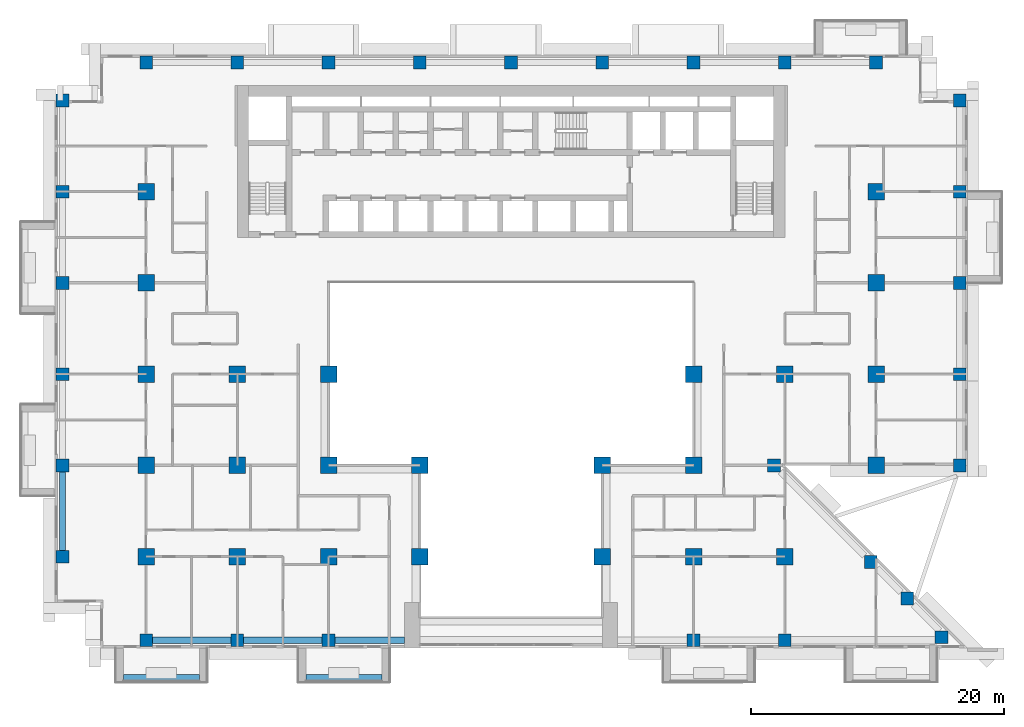
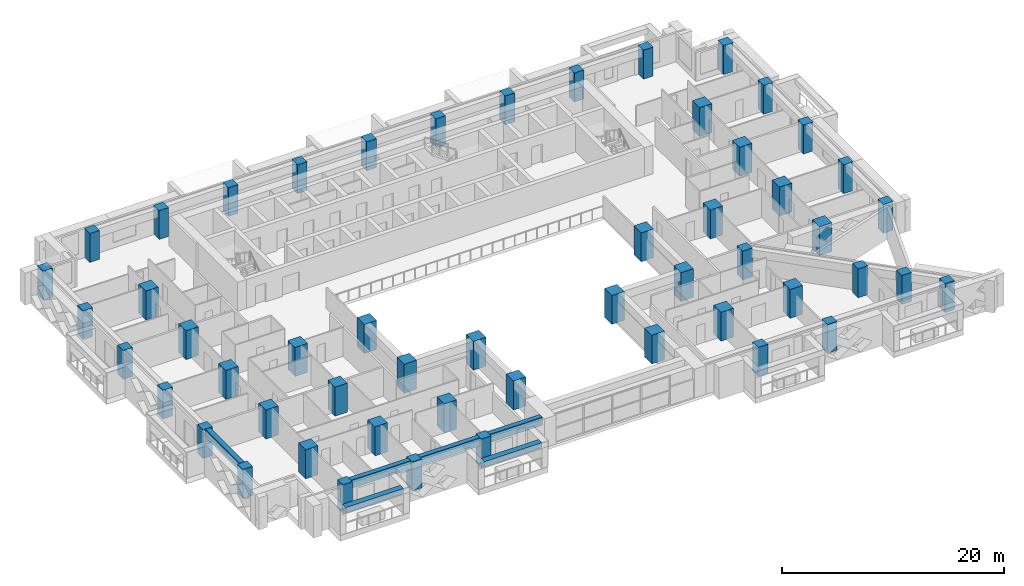
# One storey, part 1 of 17: 53 columns, 6 beams.
"""IFC4 building model written with IfcOpenShell, lengths in metres."""

from ifc_helpers import new_model, si_unit, direction, frame, origin, origin_2d, place, context, subcontext, project, spatial, rectangle, extrude, source, transform, mapped, material, material_profile, profile_set, type_object, element, save


model = new_model("IFC4")

# Units and contexts
model_context = context("Model", 3, precision=1e-05, world=origin(), true_north=direction((0.0, 1.0)))
body_context = subcontext(model_context, "Body", "Model", "MODEL_VIEW")
ifc_project = project(units=[si_unit("LENGTHUNIT", "METRE"), si_unit("AREAUNIT", "SQUARE_METRE"), si_unit("VOLUMEUNIT", "CUBIC_METRE"), si_unit("PLANEANGLEUNIT", "RADIAN"), si_unit("MASSUNIT", "GRAM", prefix="KILO")], contexts=[model_context])

# Site, building, storey
site_placement = place(None, origin())
site = spatial("IfcSite", under=ifc_project, at=site_placement, CompositionType="ELEMENT")
building_placement = place(site_placement, origin())
building = spatial("IfcBuilding", under=site, at=building_placement, Name="Saffron Iwan Residences", CompositionType="ELEMENT")
storey_placement = place(building_placement, frame((0.0, 0.0, 62.0)))
storey = spatial("IfcBuildingStorey", under=building, at=storey_placement, Name="L15", CompositionType="ELEMENT", Elevation=62.0)

# Columns
ifc_material_1 = material(Name="Concrete C60/75", Category="concrete")
ifc_material_profile_1 = material_profile(ifc_material_1, rectangle(XDim=1.0, YDim=1.0, at=origin_2d()), Name="RC 1000x1000")
ifc_profile_set_1 = profile_set([ifc_material_profile_1], Name="Concrete C60/75")
column_type_1 = type_object("IfcColumnType", Name="COL RC 1000x1000 C60/75 3180 HIGH", PredefinedType="COLUMN", material=ifc_profile_set_1)
shared_shape_1 = source(origin(), body_context, "Body", "SweptSolid", [
    extrude(rectangle(XDim=1.0, YDim=1.0, at=origin_2d()), origin(), (0.0, 0.0, 1.0), 3.179931640625),
])
for number, where, z_axis, x_axis, name in (
    (1, (21.60009765625, 34.199951171875, 0.0), (0.0, 0.0, 1.0), (1.0, 0.0, 0.0), "Column C038"),
    (2, (28.800048828125, 34.199951171875, 0.0), (0.0, 0.0, 1.0), (1.0, 0.0, 0.0), "Column C039"),
    (3, (36.0, 34.199951171875, 0.0), (0.0, 0.0, 1.0), (1.0, 0.0, 0.0), "Column C040"),
    (4, (64.800048828125, 34.199951171875, 0.0), (0.0, 0.0, 1.0), (1.0, 0.0, 0.0), "Column C041"),
    (5, (72.0, 34.199951171875, 0.0), (0.0, 0.0, 1.0), (1.0, 0.0, 0.0), "Column C042"),
    (6, (84.367431640625, 34.44189453125, 0.0), (0.0, 0.0, 1.0), (1.0, 0.0, 0.0), "Column C043"),
    (7, (81.65576171875, 37.49560546875, 0.0), (0.0, 0.0, 1.0), (1.0, 0.0, 0.0), "Column C044"),
    (8, (78.775634765625, 40.375732421875, 0.0), (0.0, 0.0, 1.0), (1.0, 0.0, 0.0), "Column C047"),
    (9, (15.0, 40.800048828125, 0.0), (0.0, 0.0, 1.0), (1.0, 0.0, 0.0), "Column C048"),
    (10, (15.0, 48.0, 0.0), (0.0, 0.0, 1.0), (1.0, 0.0, 0.0), "Column C061"),
    (11, (71.14990234375, 48.0, 0.0), (0.0, 0.0, 1.0), (1.0, 0.0, 0.0), "Column C070"),
    (12, (85.800048828125, 48.0, 0.0), (0.0, 0.0, 1.0), (1.0, 0.0, 0.0), "Column C074"),
    (13, (15.0, 55.199951171875, 0.0), (0.0, 0.0, 1.0), (1.0, 0.0, 0.0), "Column C077"),
    (14, (85.800048828125, 55.199951171875, 0.0), (0.0, 0.0, 1.0), (1.0, 0.0, 0.0), "Column C086"),
    (15, (15.0, 62.39990234375, 0.0), (0.0, 0.0, 1.0), (1.0, 0.0, 0.0), "Column C089"),
    (16, (85.800048828125, 62.39990234375, 0.0), (0.0, 0.0, 1.0), (1.0, 0.0, 0.0), "Column C094"),
    (17, (15.0, 69.60009765625, 0.0), (0.0, 0.0, 1.0), (1.0, 0.0, 0.0), "Column C097"),
    (18, (85.800048828125, 69.60009765625, 0.0), (0.0, 0.0, 1.0), (1.0, 0.0, 0.0), "Column C102"),
    (19, (15.0, 76.800048828125, 0.0), (0.0, 0.0, 1.0), (1.0, 0.0, 0.0), "Column C105"),
    (20, (85.800048828125, 76.800048828125, 0.0), (0.0, 0.0, 1.0), (1.0, 0.0, 0.0), "Column C110"),
    (21, (21.60009765625, 79.800048828125, 0.0), (0.0, 0.0, 1.0), (1.0, 0.0, 0.0), "Column C113"),
    (22, (28.800048828125, 79.800048828125, 0.0), (0.0, 0.0, 1.0), (1.0, 0.0, 0.0), "Column C115"),
    (23, (36.0, 79.800048828125, 0.0), (0.0, 0.0, 1.0), (1.0, 0.0, 0.0), "Column C116"),
    (24, (43.199951171875, 79.800048828125, 0.0), (0.0, 0.0, 1.0), (1.0, 0.0, 0.0), "Column C117"),
    (25, (50.39990234375, 79.800048828125, 0.0), (0.0, 0.0, 1.0), (1.0, 0.0, 0.0), "Column C118"),
    (26, (57.60009765625, 79.800048828125, 0.0), (0.0, 0.0, 1.0), (1.0, 0.0, 0.0), "Column C119"),
    (27, (64.800048828125, 79.800048828125, 0.0), (0.0, 0.0, 1.0), (1.0, 0.0, 0.0), "Column C120"),
    (28, (72.0, 79.800048828125, 0.0), (0.0, 0.0, 1.0), (1.0, 0.0, 0.0), "Column C121"),
    (29, (79.199951171875, 79.800048828125, 0.0), (0.0, 0.0, 1.0), (1.0, 0.0, 0.0), "Column C123"),
):
    element("IfcColumn", number, at=place(storey_placement, frame(where, z_axis=z_axis, x_axis=x_axis)), inside=storey, type_object=column_type_1, Name=name, PredefinedType="COLUMN", context=body_context, shape_type="MappedRepresentation", body=[
        mapped(shared_shape_1, transform((0.0, 0.0, 0.0))),
    ])
ifc_material_profile_2 = material_profile(ifc_material_1, rectangle(XDim=1.300048828125, YDim=1.300048828125, at=origin_2d()), Name="RC 1300x1300")
ifc_profile_set_2 = profile_set([ifc_material_profile_2], Name="Concrete C60/75")
column_type_2 = type_object("IfcColumnType", Name="COL RC 1300x1300 C60/75 3180 HIGH", PredefinedType="COLUMN", material=ifc_profile_set_2)
shared_shape_2 = source(origin(), body_context, "Body", "SweptSolid", [
    extrude(rectangle(XDim=1.300048828125, YDim=1.300048828125, at=origin_2d()), origin(), (0.0, 0.0, 1.0), 3.179931640625),
])
for number, where, z_axis, x_axis, name in (
    (30, (21.60009765625, 40.800048828125, 0.0), (0.0, 0.0, 1.0), (1.0, 0.0, 0.0), "Column C049"),
    (31, (28.800048828125, 40.800048828125, 0.0), (0.0, 0.0, 1.0), (1.0, 0.0, 0.0), "Column C051"),
    (32, (36.0, 40.800048828125, 0.0), (0.0, 0.0, 1.0), (1.0, 0.0, 0.0), "Column C052"),
    (33, (43.199951171875, 40.800048828125, 0.0), (0.0, 0.0, 1.0), (1.0, 0.0, 0.0), "Column C053"),
    (34, (57.60009765625, 40.800048828125, 0.0), (0.0, 0.0, 1.0), (1.0, 0.0, 0.0), "Column C054"),
    (35, (64.800048828125, 40.800048828125, 0.0), (0.0, 0.0, 1.0), (1.0, 0.0, 0.0), "Column C055"),
    (36, (72.0, 40.800048828125, 0.0), (0.0, 0.0, 1.0), (1.0, 0.0, 0.0), "Column C056"),
    (37, (21.60009765625, 48.0, 0.0), (0.0, 0.0, 1.0), (1.0, 0.0, 0.0), "Column C063"),
    (38, (28.800048828125, 48.0, 0.0), (0.0, 0.0, 1.0), (1.0, 0.0, 0.0), "Column C064"),
    (39, (36.0, 48.0, 0.0), (0.0, 0.0, 1.0), (1.0, 0.0, 0.0), "Column C065"),
    (40, (43.199951171875, 48.0, 0.0), (0.0, 0.0, 1.0), (1.0, 0.0, 0.0), "Column C066"),
    (41, (57.60009765625, 48.0, 0.0), (0.0, 0.0, 1.0), (1.0, 0.0, 0.0), "Column C068"),
    (42, (64.800048828125, 48.0, 0.0), (0.0, 0.0, 1.0), (1.0, 0.0, 0.0), "Column C069"),
    (43, (79.199951171875, 48.0, 0.0), (0.0, 0.0, 1.0), (1.0, 0.0, 0.0), "Column C072"),
    (44, (21.60009765625, 55.199951171875, 0.0), (0.0, 0.0, 1.0), (1.0, 0.0, 0.0), "Column C079"),
    (45, (28.800048828125, 55.199951171875, 0.0), (0.0, 0.0, 1.0), (1.0, 0.0, 0.0), "Column C080"),
    (46, (36.0, 55.199951171875, 0.0), (0.0, 0.0, 1.0), (1.0, 0.0, 0.0), "Column C081"),
    (47, (64.800048828125, 55.199951171875, 0.0), (0.0, 0.0, 1.0), (1.0, 0.0, 0.0), "Column C082"),
    (48, (72.0, 55.199951171875, 0.0), (0.0, 0.0, 1.0), (1.0, 0.0, 0.0), "Column C083"),
    (49, (79.199951171875, 55.199951171875, 0.0), (0.0, 0.0, 1.0), (1.0, 0.0, 0.0), "Column C084"),
    (50, (21.60009765625, 62.39990234375, 0.0), (0.0, 0.0, 1.0), (1.0, 0.0, 0.0), "Column C091"),
    (51, (79.199951171875, 62.39990234375, 0.0), (0.0, 0.0, 1.0), (1.0, 0.0, 0.0), "Column C092"),
    (52, (21.60009765625, 69.60009765625, 0.0), (0.0, 0.0, 1.0), (1.0, 0.0, 0.0), "Column C099"),
    (53, (79.199951171875, 69.60009765625, 0.0), (0.0, 0.0, 1.0), (1.0, 0.0, 0.0), "Column C100"),
):
    element("IfcColumn", number, at=place(storey_placement, frame(where, z_axis=z_axis, x_axis=x_axis)), inside=storey, type_object=column_type_2, Name=name, PredefinedType="COLUMN", context=body_context, shape_type="MappedRepresentation", body=[
        mapped(shared_shape_2, transform((0.0, 0.0, 0.0))),
    ])

# Beams
ifc_material_profile_3 = material_profile(ifc_material_1, rectangle(XDim=0.5, YDim=0.89990234375, at=origin_2d()), Name="RC 500x900")
ifc_profile_set_3 = profile_set([ifc_material_profile_3], Name="Concrete C60/75")
beam_type_1 = type_object("IfcBeamType", Name="SPANDREL BEAM RC 500x900 C60/75 TOP 3180", PredefinedType="SPANDREL", material=ifc_profile_set_3)
shared_shape_3 = source(origin(), body_context, "Body", "SweptSolid", [
    extrude(rectangle(XDim=0.5, YDim=0.89990234375, at=origin_2d()), origin(), (0.0, 0.0, 1.0), 6.199951171875),
])
for number, where, z_axis, x_axis, name in (
    (54, (28.300048828125, 34.199951171875, 2.72998046875), (-1.0, 0.0, 0.0), (0.0, -1.0, 0.0), "Spandrel beam"),
    (55, (35.5, 34.199951171875, 2.72998046875), (-1.0, 0.0, 0.0), (0.0, -1.0, 0.0), "Spandrel beam"),
    (56, (15.0, 41.300048828125, 2.72998046875), (0.0, 1.0, 0.0), (-1.0, 0.0, 0.0), "Spandrel beam"),
):
    element("IfcBeam", number, at=place(storey_placement, frame(where, z_axis=z_axis, x_axis=x_axis)), inside=storey, type_object=beam_type_1, Name=name, PredefinedType="SPANDREL", context=body_context, shape_type="MappedRepresentation", body=[
        mapped(shared_shape_3, transform((0.0, 0.0, 0.0))),
    ])
shared_shape_4 = source(origin(), body_context, "Body", "SweptSolid", [
    extrude(rectangle(XDim=0.5, YDim=0.89990234375, at=origin_2d()), origin(), (0.0, 0.0, 1.0), 5.5),
])
beam_placement = place(storey_placement, frame((42.0, 34.199951171875, 2.72998046875), z_axis=(-1.0, 0.0, 0.0), x_axis=(0.0, -1.0, 0.0)))
element("IfcBeam", 57, at=beam_placement, inside=storey, type_object=beam_type_1, Name="Spandrel beam", PredefinedType="SPANDREL", context=body_context, shape_type="MappedRepresentation", body=[
    mapped(shared_shape_4, transform((0.0, 0.0, 0.0))),
])
ifc_material_2 = material(Name="Concrete C50/60 white painted", Category="concrete")
ifc_material_profile_4 = material_profile(ifc_material_2, rectangle(XDim=0.60009765625, YDim=0.60009765625, at=origin_2d()), Name="BALCONY FASCIA BEAM 600 x 600")
ifc_profile_set_4 = profile_set([ifc_material_profile_4], Name="Concrete C50/60 white painted")
beam_type_2 = type_object("IfcBeamType", Name="BALCONY FASCIA BEAM 600 x 600", PredefinedType="BEAM", material=ifc_profile_set_4)
shared_shape_5 = source(origin(), body_context, "Body", "SweptSolid", [
    extrude(rectangle(XDim=0.60009765625, YDim=0.60009765625, at=origin_2d()), origin(), (0.0, 0.0, 1.0), 6.0),
])
for number, where, z_axis, x_axis, name in (
    (58, (19.800048828125, 31.199951171875, 2.550048828125), (1.0, 0.0, 0.0), (0.0, 1.0, 0.0), "Balcony fascia beam L15 11-0"),
    (59, (34.199951171875, 31.199951171875, 2.550048828125), (1.0, 0.0, 0.0), (0.0, 1.0, 0.0), "Balcony fascia beam L15 11-1"),
):
    element("IfcBeam", number, at=place(storey_placement, frame(where, z_axis=z_axis, x_axis=x_axis)), inside=storey, type_object=beam_type_2, Name=name, PredefinedType="BEAM", context=body_context, shape_type="MappedRepresentation", body=[
        mapped(shared_shape_5, transform((0.0, 0.0, 0.0))),
    ])

save(model, "model.ifc")
